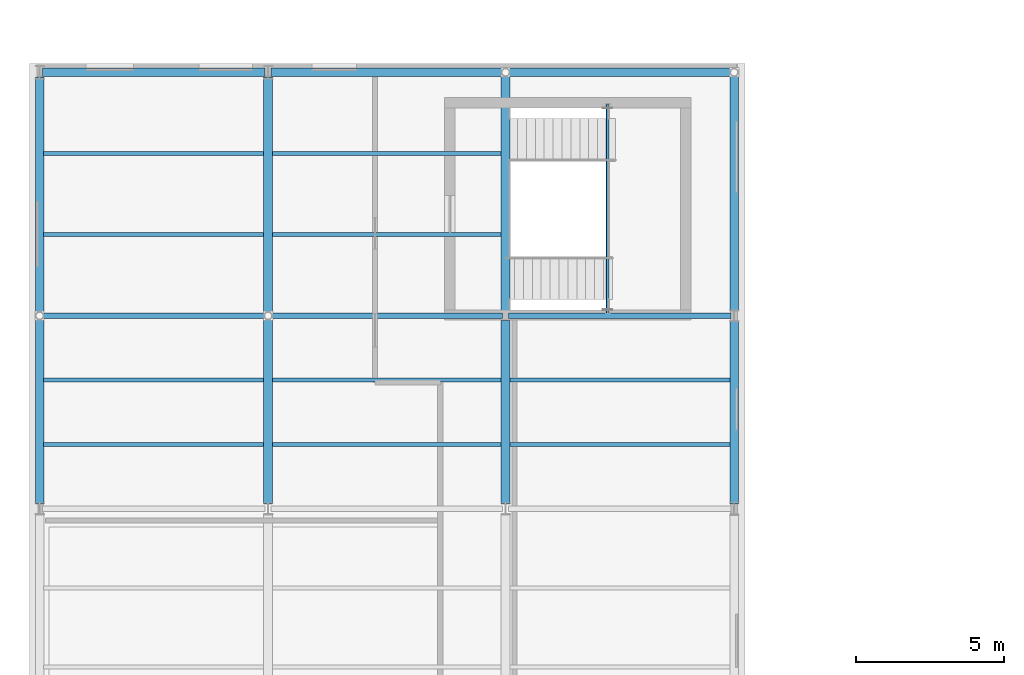
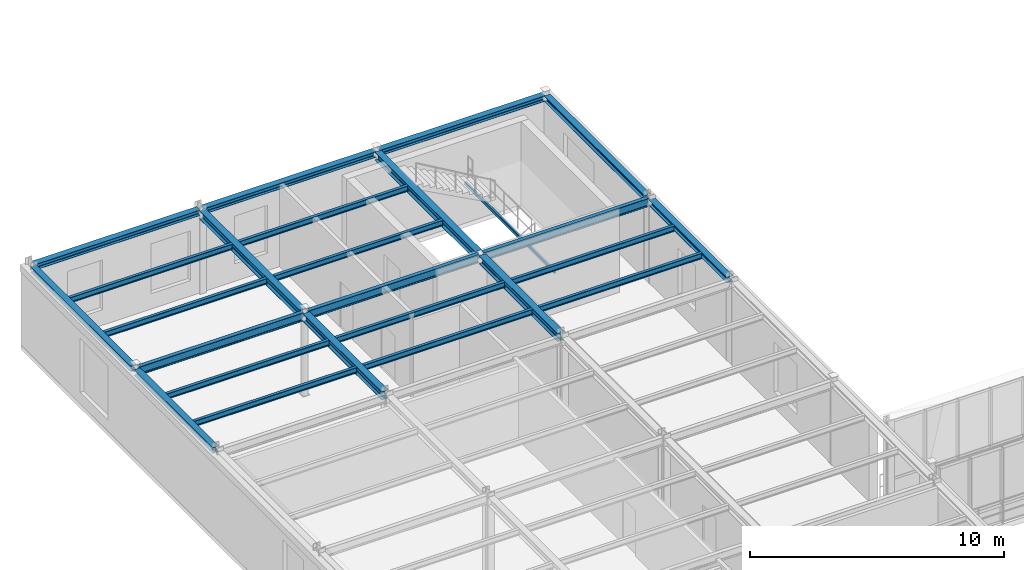
# One storey, part 19 of 52: 24 beams, 1 member.
"""IFC4 building model written with IfcOpenShell, lengths in metres."""

from ifc_helpers import new_model, si_unit, direction, frame, origin, origin_2d, place, context, subcontext, project, spatial, hollow_rectangle, i_section, extrude, material, material_profile, profile_set, type_object, element, save


model = new_model("IFC4")

# Units and contexts
model_context = context("Model", 3, precision=1e-05, world=origin(), true_north=direction((0.0, 1.0)))
body_context = subcontext(model_context, "Body", "Model", "MODEL_VIEW")
ifc_project = project(units=[si_unit("LENGTHUNIT", "METRE"), si_unit("AREAUNIT", "SQUARE_METRE"), si_unit("VOLUMEUNIT", "CUBIC_METRE"), si_unit("PLANEANGLEUNIT", "RADIAN"), si_unit("MASSUNIT", "GRAM", prefix="KILO"), si_unit("THERMODYNAMICTEMPERATUREUNIT", "KELVIN"), si_unit("POWERUNIT", "WATT")], contexts=[model_context])

# Site, building, storey
site_placement = place(None, origin())
site = spatial("IfcSite", under=ifc_project, at=site_placement, CompositionType="ELEMENT")
building_placement = place(site_placement, origin())
building = spatial("IfcBuilding", under=site, at=building_placement, Name="Solvatero Civic Police Headquarters", CompositionType="ELEMENT")
storey_placement = place(building_placement, frame((0.0, 0.0, 13.5)))
storey = spatial("IfcBuildingStorey", under=building, at=storey_placement, Name="L03", CompositionType="ELEMENT", Elevation=13.5)

# Beams
ifc_material = material(Name="Steel S355", Category="steel")
ifc_material_profile_1 = material_profile(ifc_material, i_section(OverallWidth=0.280029296875, OverallDepth=0.27001953125, WebThickness=0.008056640625, FlangeThickness=0.012939453125, FilletRadius=0.02392578125, at=origin_2d()), Name="HEA 280")
ifc_profile_set_1 = profile_set([ifc_material_profile_1], Name="Steel S355")
beam_type_1 = type_object("IfcBeamType", Name="BM-ST-HEA280", PredefinedType="SPANDREL", material=ifc_profile_set_1)
beam_1_placement = place(storey_placement, frame((4.89990234375, 83.199951171875, 3.864990234375), z_axis=(1.0, 0.0, 0.0), x_axis=(0.0, 1.0, 0.0)))
element("IfcBeam", 1, at=beam_1_placement, inside=storey, type_object=beam_type_1, Name="Perimeter / radial spandrel beam BM-R2-L03-V6-GX-1-6", PredefinedType="SPANDREL", context=body_context, shape_type="SweptSolid", body=[
    extrude(i_section(OverallWidth=0.280029296875, OverallDepth=0.27001953125, WebThickness=0.008056640625, FlangeThickness=0.012939453125, FilletRadius=0.02392578125, at=origin_2d()), origin(), (0.0, 0.0, 1.0), 7.5),
])
beam_2_placement = place(storey_placement, frame((12.60009765625, 83.199951171875, 3.864990234375), z_axis=(1.0, 0.0, 0.0), x_axis=(0.0, 1.0, 0.0)))
element("IfcBeam", 2, at=beam_2_placement, inside=storey, type_object=beam_type_1, Name="Perimeter / radial spandrel beam BM-R2-L03-V6-GX-2-6", PredefinedType="SPANDREL", context=body_context, shape_type="SweptSolid", body=[
    extrude(i_section(OverallWidth=0.280029296875, OverallDepth=0.27001953125, WebThickness=0.008056640625, FlangeThickness=0.012939453125, FilletRadius=0.02392578125, at=origin_2d()), origin(), (0.0, 0.0, 1.0), 7.7998046875),
])
beam_3_placement = place(storey_placement, frame((20.60009765625, 83.199951171875, 3.864990234375), z_axis=(1.0, 0.0, 0.0), x_axis=(0.0, 1.0, 0.0)))
element("IfcBeam", 3, at=beam_3_placement, inside=storey, type_object=beam_type_1, Name="Perimeter / radial spandrel beam BM-R2-L03-V6-GX-3-6", PredefinedType="SPANDREL", context=body_context, shape_type="SweptSolid", body=[
    extrude(i_section(OverallWidth=0.280029296875, OverallDepth=0.27001953125, WebThickness=0.008056640625, FlangeThickness=0.012939453125, FilletRadius=0.02392578125, at=origin_2d()), origin(), (0.0, 0.0, 1.0), 7.5),
])
beam_4_placement = place(storey_placement, frame((4.800048828125, 68.659912109375, 3.864990234375), z_axis=(0.0, 1.0, 0.0), x_axis=(-1.0, 0.0, 0.0)))
element("IfcBeam", 4, at=beam_4_placement, inside=storey, type_object=beam_type_1, Name="Perimeter / radial spandrel beam BM-R2-L03-V6-GY-1-4", PredefinedType="SPANDREL", context=body_context, shape_type="SweptSolid", body=[
    extrude(i_section(OverallWidth=0.280029296875, OverallDepth=0.27001953125, WebThickness=0.008056640625, FlangeThickness=0.012939453125, FilletRadius=0.02392578125, at=origin_2d()), origin(), (0.0, 0.0, 1.0), 6.20166015625),
])
beam_5_placement = place(storey_placement, frame((4.800048828125, 75.138427734375, 3.864990234375), z_axis=(0.0, 1.0, 0.0), x_axis=(-1.0, 0.0, 0.0)))
element("IfcBeam", 5, at=beam_5_placement, inside=storey, type_object=beam_type_1, Name="Perimeter / radial spandrel beam BM-R2-L03-V6-GY-1-5", PredefinedType="SPANDREL", context=body_context, shape_type="SweptSolid", body=[
    extrude(i_section(OverallWidth=0.280029296875, OverallDepth=0.27001953125, WebThickness=0.008056640625, FlangeThickness=0.012939453125, FilletRadius=0.02392578125, at=origin_2d()), origin(), (0.0, 0.0, 1.0), 7.901611328125),
])
beam_6_placement = place(storey_placement, frame((28.199951171875, 68.659912109375, 3.864990234375), z_axis=(0.0, 1.0, 0.0), x_axis=(-1.0, 0.0, 0.0)))
element("IfcBeam", 6, at=beam_6_placement, inside=storey, type_object=beam_type_1, Name="Perimeter / radial spandrel beam BM-R2-L03-V6-GY-4-4", PredefinedType="SPANDREL", context=body_context, shape_type="SweptSolid", body=[
    extrude(i_section(OverallWidth=0.280029296875, OverallDepth=0.27001953125, WebThickness=0.008056640625, FlangeThickness=0.012939453125, FilletRadius=0.02392578125, at=origin_2d()), origin(), (0.0, 0.0, 1.0), 6.18017578125),
])
beam_7_placement = place(storey_placement, frame((28.199951171875, 75.159912109375, 3.864990234375), z_axis=(0.0, 1.0, 0.0), x_axis=(-1.0, 0.0, 0.0)))
element("IfcBeam", 7, at=beam_7_placement, inside=storey, type_object=beam_type_1, Name="Perimeter / radial spandrel beam BM-R2-L03-V6-GY-4-5", PredefinedType="SPANDREL", context=body_context, shape_type="SweptSolid", body=[
    extrude(i_section(OverallWidth=0.280029296875, OverallDepth=0.27001953125, WebThickness=0.008056640625, FlangeThickness=0.012939453125, FilletRadius=0.02392578125, at=origin_2d()), origin(), (0.0, 0.0, 1.0), 7.901611328125),
])
ifc_material_profile_2 = material_profile(ifc_material, i_section(OverallWidth=0.300048828125, OverallDepth=0.389892578125, WebThickness=0.010986328125, FlangeThickness=0.01904296875, FilletRadius=0.027099609375, at=origin_2d()), Name="HEA 400")
ifc_profile_set_2 = profile_set([ifc_material_profile_2], Name="Steel S355")
beam_type_2 = type_object("IfcBeamType", Name="BM-ST-HEA400", PredefinedType="BEAM", material=ifc_profile_set_2)
beam_8_placement = place(storey_placement, frame((12.5, 68.659912109375, 3.804931640625), z_axis=(0.0, 1.0, 0.0), x_axis=(-1.0, 0.0, 0.0)))
element("IfcBeam", 8, at=beam_8_placement, inside=storey, type_object=beam_type_2, Name="Primary girder BM-R2-L03-V6-GY-2-4", PredefinedType="BEAM", context=body_context, shape_type="SweptSolid", body=[
    extrude(i_section(OverallWidth=0.300048828125, OverallDepth=0.389892578125, WebThickness=0.010986328125, FlangeThickness=0.01904296875, FilletRadius=0.027099609375, at=origin_2d()), origin(), (0.0, 0.0, 1.0), 6.20166015625),
])
beam_9_placement = place(storey_placement, frame((12.5, 75.138427734375, 3.804931640625), z_axis=(0.0, 1.0, 0.0), x_axis=(-1.0, 0.0, 0.0)))
element("IfcBeam", 9, at=beam_9_placement, inside=storey, type_object=beam_type_2, Name="Primary girder BM-R2-L03-V6-GY-2-5", PredefinedType="BEAM", context=body_context, shape_type="SweptSolid", body=[
    extrude(i_section(OverallWidth=0.300048828125, OverallDepth=0.389892578125, WebThickness=0.010986328125, FlangeThickness=0.01904296875, FilletRadius=0.027099609375, at=origin_2d()), origin(), (0.0, 0.0, 1.0), 7.901611328125),
])
beam_10_placement = place(storey_placement, frame((20.5, 68.659912109375, 3.804931640625), z_axis=(0.0, 1.0, 0.0), x_axis=(-1.0, 0.0, 0.0)))
element("IfcBeam", 10, at=beam_10_placement, inside=storey, type_object=beam_type_2, Name="Primary girder BM-R2-L03-V6-GY-3-4", PredefinedType="BEAM", context=body_context, shape_type="SweptSolid", body=[
    extrude(i_section(OverallWidth=0.300048828125, OverallDepth=0.389892578125, WebThickness=0.010986328125, FlangeThickness=0.01904296875, FilletRadius=0.027099609375, at=origin_2d()), origin(), (0.0, 0.0, 1.0), 6.18017578125),
])
beam_11_placement = place(storey_placement, frame((20.5, 75.159912109375, 3.804931640625), z_axis=(0.0, 1.0, 0.0), x_axis=(-1.0, 0.0, 0.0)))
element("IfcBeam", 11, at=beam_11_placement, inside=storey, type_object=beam_type_2, Name="Primary girder BM-R2-L03-V6-GY-3-5", PredefinedType="BEAM", context=body_context, shape_type="SweptSolid", body=[
    extrude(i_section(OverallWidth=0.300048828125, OverallDepth=0.389892578125, WebThickness=0.010986328125, FlangeThickness=0.01904296875, FilletRadius=0.027099609375, at=origin_2d()), origin(), (0.0, 0.0, 1.0), 7.901611328125),
])
ifc_material_profile_3 = material_profile(ifc_material, i_section(OverallWidth=0.135009765625, OverallDepth=0.27001953125, WebThickness=0.006591796875, FlangeThickness=0.01025390625, FilletRadius=0.014892578125, at=origin_2d()), Name="IPE 270")
ifc_profile_set_3 = profile_set([ifc_material_profile_3], Name="Steel S355")
beam_type_3 = type_object("IfcBeamType", Name="BM-ST-IPE270", PredefinedType="BEAM", material=ifc_profile_set_3)
for number, where, z_axis, x_axis, name in (
    (12, (4.93994140625, 70.666748046875, 3.864990234375), (1.0, 0.0, 0.0), (0.0, 1.0, 0.0), "Composite floor beam BM-R2-L03-V6-SEC-1-4-S1"),
    (13, (4.93994140625, 72.833251953125, 3.864990234375), (1.0, 0.0, 0.0), (0.0, 1.0, 0.0), "Composite floor beam BM-R2-L03-V6-SEC-1-4-S2"),
    (14, (4.93994140625, 77.7333984375, 3.864990234375), (1.0, 0.0, 0.0), (0.0, 1.0, 0.0), "Composite floor beam BM-R2-L03-V6-SEC-1-5-S1"),
    (15, (4.93994140625, 80.466796875, 3.864990234375), (1.0, 0.0, 0.0), (0.0, 1.0, 0.0), "Composite floor beam BM-R2-L03-V6-SEC-1-5-S2"),
):
    element("IfcBeam", number, at=place(storey_placement, frame(where, z_axis=z_axis, x_axis=x_axis)), inside=storey, type_object=beam_type_3, Name=name, PredefinedType="BEAM", context=body_context, shape_type="SweptSolid", body=[
        extrude(i_section(OverallWidth=0.135009765625, OverallDepth=0.27001953125, WebThickness=0.006591796875, FlangeThickness=0.01025390625, FilletRadius=0.014892578125, at=origin_2d()), origin(), (0.0, 0.0, 1.0), 7.41015625),
    ])
for number, where, z_axis, x_axis, name in (
    (16, (12.64990234375, 70.666748046875, 3.864990234375), (1.0, 0.0, 0.0), (0.0, 1.0, 0.0), "Composite floor beam BM-R2-L03-V6-SEC-2-4-S1"),
    (17, (12.64990234375, 72.833251953125, 3.864990234375), (1.0, 0.0, 0.0), (0.0, 1.0, 0.0), "Composite floor beam BM-R2-L03-V6-SEC-2-4-S2"),
    (18, (12.64990234375, 77.7333984375, 3.864990234375), (1.0, 0.0, 0.0), (0.0, 1.0, 0.0), "Composite floor beam BM-R2-L03-V6-SEC-2-5-S1"),
    (19, (12.64990234375, 80.466796875, 3.864990234375), (1.0, 0.0, 0.0), (0.0, 1.0, 0.0), "Composite floor beam BM-R2-L03-V6-SEC-2-5-S2"),
):
    element("IfcBeam", number, at=place(storey_placement, frame(where, z_axis=z_axis, x_axis=x_axis)), inside=storey, type_object=beam_type_3, Name=name, PredefinedType="BEAM", context=body_context, shape_type="SweptSolid", body=[
        extrude(i_section(OverallWidth=0.135009765625, OverallDepth=0.27001953125, WebThickness=0.006591796875, FlangeThickness=0.01025390625, FilletRadius=0.014892578125, at=origin_2d()), origin(), (0.0, 0.0, 1.0), 7.7001953125),
    ])
for number, where, z_axis, x_axis, name in (
    (20, (20.64990234375, 70.666748046875, 3.864990234375), (1.0, 0.0, 0.0), (0.0, 1.0, 0.0), "Composite floor beam BM-R2-L03-V6-SEC-3-4-S1"),
    (21, (20.64990234375, 72.833251953125, 3.864990234375), (1.0, 0.0, 0.0), (0.0, 1.0, 0.0), "Composite floor beam BM-R2-L03-V6-SEC-3-4-S2"),
):
    element("IfcBeam", number, at=place(storey_placement, frame(where, z_axis=z_axis, x_axis=x_axis)), inside=storey, type_object=beam_type_3, Name=name, PredefinedType="BEAM", context=body_context, shape_type="SweptSolid", body=[
        extrude(i_section(OverallWidth=0.135009765625, OverallDepth=0.27001953125, WebThickness=0.006591796875, FlangeThickness=0.01025390625, FilletRadius=0.014892578125, at=origin_2d()), origin(), (0.0, 0.0, 1.0), 7.41015625),
    ])
ifc_material_profile_4 = material_profile(ifc_material, i_section(OverallWidth=0.179931640625, OverallDepth=0.39990234375, WebThickness=0.008544921875, FlangeThickness=0.013427734375, FilletRadius=0.02099609375, at=origin_2d()), Name="IPE 400")
ifc_profile_set_4 = profile_set([ifc_material_profile_4], Name="Steel S355")
beam_type_4 = type_object("IfcBeamType", Name="BM-ST-IPE400", PredefinedType="BEAM", material=ifc_profile_set_4)
beam_12_placement = place(storey_placement, frame((4.89990234375, 75.0, 3.800048828125), z_axis=(1.0, 0.0, 0.0), x_axis=(0.0, 1.0, 0.0)))
element("IfcBeam", 22, at=beam_12_placement, inside=storey, type_object=beam_type_4, Name="Primary girder BM-R2-L03-V6-GX-1-5", PredefinedType="BEAM", context=body_context, shape_type="SweptSolid", body=[
    extrude(i_section(OverallWidth=0.179931640625, OverallDepth=0.39990234375, WebThickness=0.008544921875, FlangeThickness=0.013427734375, FilletRadius=0.02099609375, at=origin_2d()), origin(), (0.0, 0.0, 1.0), 7.5),
])
beam_13_placement = place(storey_placement, frame((12.60009765625, 75.0, 3.800048828125), z_axis=(1.0, 0.0, 0.0), x_axis=(0.0, 1.0, 0.0)))
element("IfcBeam", 23, at=beam_13_placement, inside=storey, type_object=beam_type_4, Name="Primary girder BM-R2-L03-V6-GX-2-5", PredefinedType="BEAM", context=body_context, shape_type="SweptSolid", body=[
    extrude(i_section(OverallWidth=0.179931640625, OverallDepth=0.39990234375, WebThickness=0.008544921875, FlangeThickness=0.013427734375, FilletRadius=0.02099609375, at=origin_2d()), origin(), (0.0, 0.0, 1.0), 7.7998046875),
])
beam_14_placement = place(storey_placement, frame((20.60009765625, 75.0, 3.800048828125), z_axis=(1.0, 0.0, 0.0), x_axis=(0.0, 1.0, 0.0)))
element("IfcBeam", 24, at=beam_14_placement, inside=storey, type_object=beam_type_4, Name="Primary girder BM-R2-L03-V6-GX-3-5", PredefinedType="BEAM", context=body_context, shape_type="SweptSolid", body=[
    extrude(i_section(OverallWidth=0.179931640625, OverallDepth=0.39990234375, WebThickness=0.008544921875, FlangeThickness=0.013427734375, FilletRadius=0.02099609375, at=origin_2d()), origin(), (0.0, 0.0, 1.0), 7.5),
])

# Member
ifc_material_profile_5 = material_profile(ifc_material, hollow_rectangle(XDim=0.10009765625, YDim=0.14990234375, WallThickness=0.00634765625, InnerFilletRadius=0.00634765625, OuterFilletRadius=0.0126953125, at=origin_2d()), Name="RHS 150x100x6.3")
ifc_profile_set_5 = profile_set([ifc_material_profile_5], Name="Steel S355")
member_type = type_object("IfcMemberType", Name="MB-BR-RHS150", PredefinedType="BRACE", material=ifc_profile_set_5)
member_placement = place(storey_placement, frame((23.93994140625, 75.080078125, 1.824951171875), z_axis=(0.0, 1.0, 0.0), x_axis=(-1.0, 0.0, 0.0)))
element("IfcMember", 25, at=member_placement, inside=storey, type_object=member_type, Name="ST-C4 L03 Landing Support Beam", PredefinedType="BRACE", context=body_context, shape_type="SweptSolid", body=[
    extrude(hollow_rectangle(XDim=0.10009765625, YDim=0.14990234375, WallThickness=0.00634765625, InnerFilletRadius=0.00634765625, OuterFilletRadius=0.0126953125, at=origin_2d()), origin(), (0.0, 0.0, 1.0), 7.0400390625),
])

save(model, "model.ifc")
